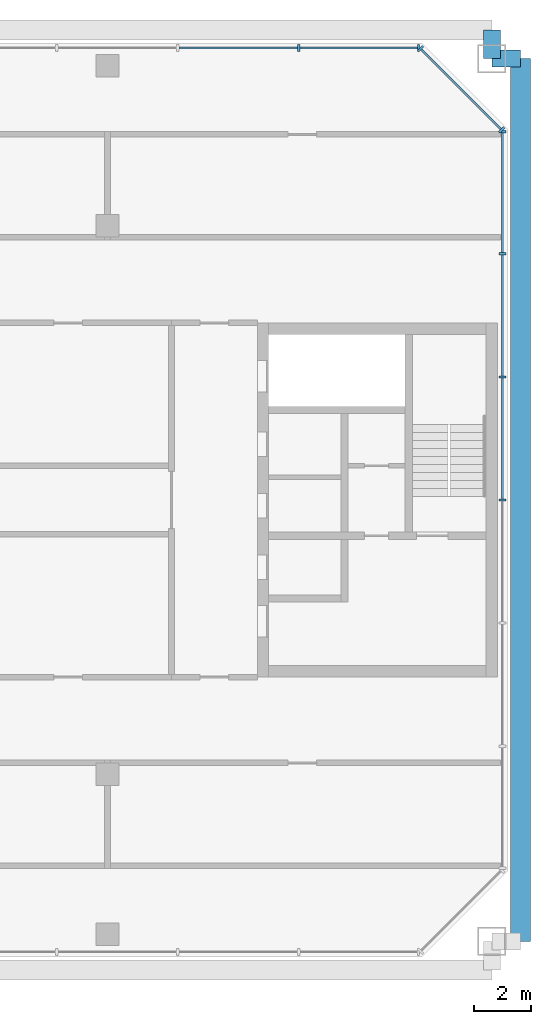
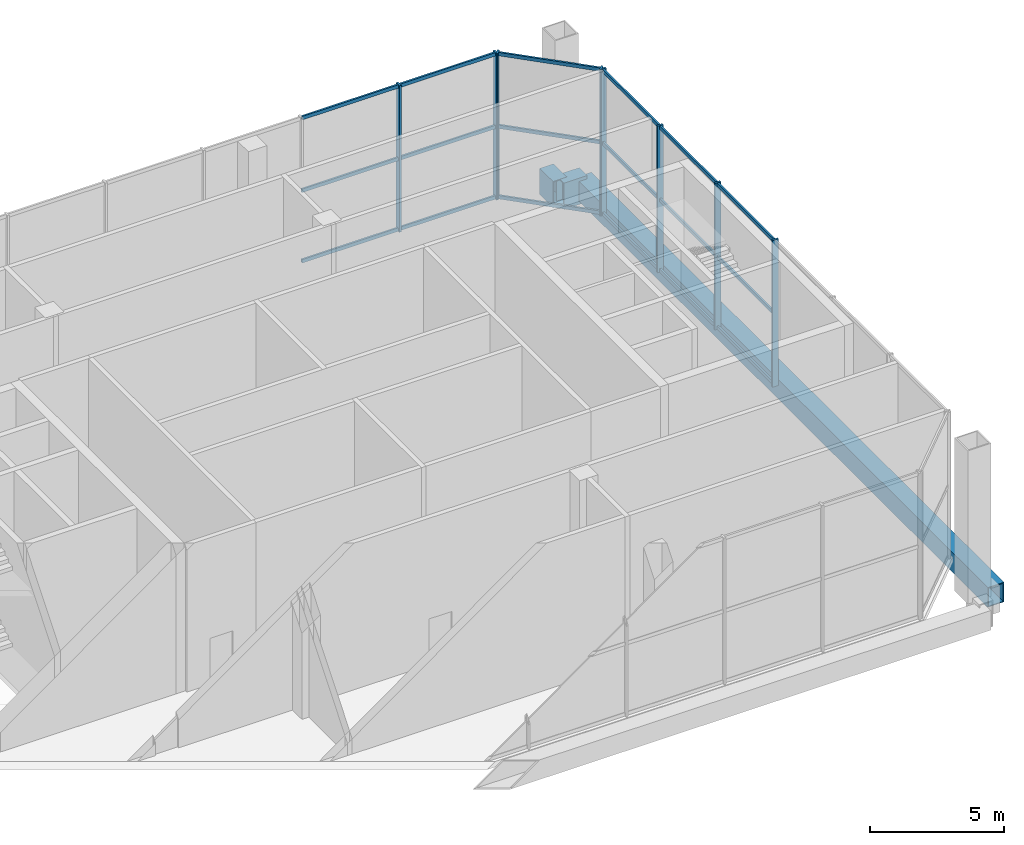
# One storey, part 13 of 27: 26 members, 3 beams, 3 elements without a shape of their own.
"""IFC4 building model written with IfcOpenShell, lengths in metres."""

from ifc_helpers import new_model, si_unit, direction, frame, origin, origin_2d, place, context, subcontext, project, spatial, rectangle, hollow_rectangle, extrude, material, material_profile, profile_set, type_object, element, aggregate, save


model = new_model("IFC4")

# Units and contexts
model_context = context("Model", 3, precision=1e-05, world=origin(), true_north=direction((0.0, 1.0)))
body_context = subcontext(model_context, "Body", "Model", "MODEL_VIEW")
ifc_project = project(units=[si_unit("LENGTHUNIT", "METRE"), si_unit("AREAUNIT", "SQUARE_METRE"), si_unit("VOLUMEUNIT", "CUBIC_METRE"), si_unit("PLANEANGLEUNIT", "RADIAN"), si_unit("MASSUNIT", "GRAM", prefix="KILO")], contexts=[model_context])

# Site, building, storey
site_placement = place(None, origin())
site = spatial("IfcSite", under=ifc_project, at=site_placement, CompositionType="ELEMENT")
building_placement = place(site_placement, origin())
building = spatial("IfcBuilding", under=site, at=building_placement, Name="Tuart Gate Housing", CompositionType="ELEMENT")
storey_placement = place(building_placement, frame((0.0, 0.0, 236.89990234375)))
storey = spatial("IfcBuildingStorey", under=building, at=storey_placement, Name="L67", CompositionType="ELEMENT", Elevation=236.89990234375)

# Beams
ifc_material_1 = material(Name="Steel Grade 350", Category="steel")
ifc_material_profile_1 = material_profile(ifc_material_1, hollow_rectangle(XDim=0.60009765625, YDim=1.199951171875, WallThickness=0.0400390625, at=origin_2d()), Name="BOX 1200x600x40")
ifc_profile_set_1 = profile_set([ifc_material_profile_1], Name="Steel Grade 350")
beam_type_1 = type_object("IfcBeamType", Name="Brace shoe BOX 1200x600x40", PredefinedType="BEAM", material=ifc_profile_set_1)
for number, where, z_axis, x_axis, name in (
    (1, (168.449951171875, 85.449951171875, -0.39990234375), (0.0, 1.0, 0.0), (-1.0, 0.0, 0.0), "Mega tie beam B node 8 north shoe 1 L67"),
    (2, (168.449951171875, 85.449951171875, -0.39990234375), (1.0, 0.0, 0.0), (0.0, 1.0, 0.0), "Mega tie beam B node 8 east shoe 1 L67"),
):
    element("IfcBeam", number, at=place(storey_placement, frame(where, z_axis=z_axis, x_axis=x_axis)), inside=storey, type_object=beam_type_1, Name=name, PredefinedType="BEAM", context=body_context, shape_type="SweptSolid", body=[
        extrude(hollow_rectangle(XDim=0.60009765625, YDim=1.199951171875, WallThickness=0.0400390625, at=origin_2d()), origin(), (0.0, 0.0, 1.0), 1.0),
    ])

# Curtain wall, members
ifc_material_2 = material(Name="Aluminium and clear glass", Category="aluminium")
curtain_wall_type = type_object("IfcCurtainWallType", Name="Damper floor glazing", PredefinedType="USERDEFINED", material=ifc_material_2)
curtain_wall_1_placement = place(storey_placement, origin())
curtain_wall_1 = element("IfcCurtainWall", 3, at=curtain_wall_1_placement, inside=storey, type_object=curtain_wall_type, Name="Damper floor glazing BLK-E L67", ObjectType="DAMPER FLOOR GLAZING", PredefinedType="USERDEFINED")
ifc_material_3 = material(Name="Anodised aluminium", Category="aluminium")
ifc_material_profile_2 = material_profile(ifc_material_3, rectangle(XDim=0.080078125, YDim=0.25, at=origin_2d()), Name="80x250")
ifc_profile_set_2 = profile_set([ifc_material_profile_2], Name="Anodised aluminium")
member_type_1 = type_object("IfcMemberType", Name="Mullion 80 x 250", PredefinedType="MULLION", material=ifc_profile_set_2)
member_1_placement = place(storey_placement, frame((168.820068359375, 70.0, 0.0), z_axis=(0.0, 0.0, 1.0), x_axis=(0.0, 1.0, 0.0)))
member_1 = element("IfcMember", 4, at=member_1_placement, type_object=member_type_1, Name="CW5 mullion 4", PredefinedType="MULLION", context=body_context, shape_type="SweptSolid", body=[
    extrude(rectangle(XDim=0.080078125, YDim=0.25, at=origin_2d()), origin(), (0.0, 0.0, 1.0), 6.7001953125),
])
member_2_placement = place(storey_placement, frame((168.820068359375, 74.30859375, 0.0), z_axis=(0.0, 0.0, 1.0), x_axis=(0.0, 1.0, 0.0)))
member_2 = element("IfcMember", 5, at=member_2_placement, type_object=member_type_1, Name="CW5 mullion 5", PredefinedType="MULLION", context=body_context, shape_type="SweptSolid", body=[
    extrude(rectangle(XDim=0.080078125, YDim=0.25, at=origin_2d()), origin(), (0.0, 0.0, 1.0), 6.7001953125),
])
member_3_placement = place(storey_placement, frame((168.820068359375, 78.616943359375, 0.0), z_axis=(0.0, 0.0, 1.0), x_axis=(0.0, 1.0, 0.0)))
member_3 = element("IfcMember", 6, at=member_3_placement, type_object=member_type_1, Name="CW5 mullion 6", PredefinedType="MULLION", context=body_context, shape_type="SweptSolid", body=[
    extrude(rectangle(XDim=0.080078125, YDim=0.25, at=origin_2d()), origin(), (0.0, 0.0, 1.0), 6.7001953125),
])
member_4_placement = place(storey_placement, frame((168.820068359375, 82.885498046875, 0.0), z_axis=(0.0, 0.0, 1.0), x_axis=(0.0, 1.0, 0.0)))
member_4 = element("IfcMember", 7, at=member_4_placement, type_object=member_type_1, Name="CW5 mullion 7", PredefinedType="MULLION", context=body_context, shape_type="SweptSolid", body=[
    extrude(rectangle(XDim=0.080078125, YDim=0.25, at=origin_2d()), origin(), (0.0, 0.0, 1.0), 6.7001953125),
])

curtain_wall_2_placement = place(storey_placement, origin())
curtain_wall_2 = element("IfcCurtainWall", 8, at=curtain_wall_2_placement, inside=storey, type_object=curtain_wall_type, Name="Damper floor glazing BLK-NE L67", ObjectType="DAMPER FLOOR GLAZING", PredefinedType="USERDEFINED")
member_5_placement = place(storey_placement, frame((168.791748046875, 82.95361328125, 0.0), z_axis=(0.0, 0.0, 1.0), x_axis=(-0.707106781187, 0.707106781187, 0.0)))
member_5 = element("IfcMember", 9, at=member_5_placement, type_object=member_type_1, Name="CW5 mullion 1", PredefinedType="MULLION", context=body_context, shape_type="SweptSolid", body=[
    extrude(rectangle(XDim=0.080078125, YDim=0.25, at=origin_2d()), origin(), (0.0, 0.0, 1.0), 6.7001953125),
])
member_6_placement = place(storey_placement, frame((165.95361328125, 85.791748046875, 0.0), z_axis=(0.0, 0.0, 1.0), x_axis=(-0.707106781187, 0.707106781187, 0.0)))
member_6 = element("IfcMember", 10, at=member_6_placement, type_object=member_type_1, Name="CW5 mullion 2", PredefinedType="MULLION", context=body_context, shape_type="SweptSolid", body=[
    extrude(rectangle(XDim=0.080078125, YDim=0.25, at=origin_2d()), origin(), (0.0, 0.0, 1.0), 6.7001953125),
])

curtain_wall_3_placement = place(storey_placement, origin())
curtain_wall_3 = element("IfcCurtainWall", 11, at=curtain_wall_3_placement, inside=storey, type_object=curtain_wall_type, Name="Damper floor glazing BLK-N L67", ObjectType="DAMPER FLOOR GLAZING", PredefinedType="USERDEFINED")
member_7_placement = place(storey_placement, frame((165.885498046875, 85.820068359375, 0.0), z_axis=(0.0, 0.0, 1.0), x_axis=(-1.0, 0.0, 0.0)))
member_7 = element("IfcMember", 12, at=member_7_placement, type_object=member_type_1, Name="CW5 mullion 1", PredefinedType="MULLION", context=body_context, shape_type="SweptSolid", body=[
    extrude(rectangle(XDim=0.080078125, YDim=0.25, at=origin_2d()), origin(), (0.0, 0.0, 1.0), 6.7001953125),
])
member_8_placement = place(storey_placement, frame((161.69091796875, 85.820068359375, 0.0), z_axis=(0.0, 0.0, 1.0), x_axis=(-1.0, 0.0, 0.0)))
member_8 = element("IfcMember", 13, at=member_8_placement, type_object=member_type_1, Name="CW5 mullion 2", PredefinedType="MULLION", context=body_context, shape_type="SweptSolid", body=[
    extrude(rectangle(XDim=0.080078125, YDim=0.25, at=origin_2d()), origin(), (0.0, 0.0, 1.0), 6.7001953125),
])

# Beam
ifc_material_4 = material(Name="Steel Grade 350", Category="steel")
ifc_material_profile_3 = material_profile(ifc_material_4, hollow_rectangle(XDim=0.699951171875, YDim=0.89990234375, WallThickness=0.0400390625, at=origin_2d()), Name="BOX 900x700x40")
ifc_profile_set_3 = profile_set([ifc_material_profile_3], Name="Steel Grade 350")
beam_type_2 = type_object("IfcBeamType", Name="Tie beam BOX 900x700x40", PredefinedType="BEAM", material=ifc_profile_set_3)
beam_placement = place(storey_placement, frame((169.449951171875, 54.550048828125, -0.39990234375), z_axis=(0.0, 1.0, 0.0), x_axis=(-1.0, 0.0, 0.0)))
element("IfcBeam", 14, at=beam_placement, inside=storey, type_object=beam_type_2, Name="Mega tie beam B node 8 east L67", PredefinedType="BEAM", context=body_context, shape_type="SweptSolid", body=[
    extrude(hollow_rectangle(XDim=0.699951171875, YDim=0.89990234375, WallThickness=0.0400390625, at=origin_2d()), origin(), (0.0, 0.0, 1.0), 30.89990234375),
])

# Member
ifc_material_5 = material(Name="Anodised aluminium", Category="aluminium")
ifc_material_profile_4 = material_profile(ifc_material_5, rectangle(XDim=0.080078125, YDim=0.159912109375, at=origin_2d()), Name="80x160")
ifc_profile_set_4 = profile_set([ifc_material_profile_4], Name="Anodised aluminium")
member_type_2 = type_object("IfcMemberType", Name="Transom 80 x 160", PredefinedType="USERDEFINED", material=ifc_profile_set_4)
member_9_placement = place(storey_placement, frame((168.820068359375, 70.0400390625, 0.080078125), z_axis=(0.0, 1.0, 0.0), x_axis=(-1.0, 0.0, 0.0)))
member_9 = element("IfcMember", 15, at=member_9_placement, type_object=member_type_2, Name="CW5 transom 4.1", ObjectType="TRANSOM", PredefinedType="USERDEFINED", context=body_context, shape_type="SweptSolid", body=[
    extrude(rectangle(XDim=0.080078125, YDim=0.159912109375, at=origin_2d()), origin(), (0.0, 0.0, 1.0), 4.228515625),
])

member_10_placement = place(storey_placement, frame((168.820068359375, 70.0400390625, 3.300048828125), z_axis=(0.0, 1.0, 0.0), x_axis=(-1.0, 0.0, 0.0)))
member_10 = element("IfcMember", 16, at=member_10_placement, type_object=member_type_2, Name="CW5 transom 4.2", ObjectType="TRANSOM", PredefinedType="USERDEFINED", context=body_context, shape_type="SweptSolid", body=[
    extrude(rectangle(XDim=0.080078125, YDim=0.159912109375, at=origin_2d()), origin(), (0.0, 0.0, 1.0), 4.228515625),
])

member_11_placement = place(storey_placement, frame((168.820068359375, 70.0400390625, 6.6201171875), z_axis=(0.0, 1.0, 0.0), x_axis=(-1.0, 0.0, 0.0)))
member_11 = element("IfcMember", 17, at=member_11_placement, type_object=member_type_2, Name="CW5 transom 4.3", ObjectType="TRANSOM", PredefinedType="USERDEFINED", context=body_context, shape_type="SweptSolid", body=[
    extrude(rectangle(XDim=0.080078125, YDim=0.159912109375, at=origin_2d()), origin(), (0.0, 0.0, 1.0), 4.228515625),
])

member_12_placement = place(storey_placement, frame((168.820068359375, 74.3486328125, 0.080078125), z_axis=(0.0, 1.0, 0.0), x_axis=(-1.0, 0.0, 0.0)))
member_12 = element("IfcMember", 18, at=member_12_placement, type_object=member_type_2, Name="CW5 transom 5.1", ObjectType="TRANSOM", PredefinedType="USERDEFINED", context=body_context, shape_type="SweptSolid", body=[
    extrude(rectangle(XDim=0.080078125, YDim=0.159912109375, at=origin_2d()), origin(), (0.0, 0.0, 1.0), 4.228271484375),
])

member_13_placement = place(storey_placement, frame((168.820068359375, 74.3486328125, 3.300048828125), z_axis=(0.0, 1.0, 0.0), x_axis=(-1.0, 0.0, 0.0)))
member_13 = element("IfcMember", 19, at=member_13_placement, type_object=member_type_2, Name="CW5 transom 5.2", ObjectType="TRANSOM", PredefinedType="USERDEFINED", context=body_context, shape_type="SweptSolid", body=[
    extrude(rectangle(XDim=0.080078125, YDim=0.159912109375, at=origin_2d()), origin(), (0.0, 0.0, 1.0), 4.228271484375),
])

member_14_placement = place(storey_placement, frame((168.820068359375, 74.3486328125, 6.6201171875), z_axis=(0.0, 1.0, 0.0), x_axis=(-1.0, 0.0, 0.0)))
member_14 = element("IfcMember", 20, at=member_14_placement, type_object=member_type_2, Name="CW5 transom 5.3", ObjectType="TRANSOM", PredefinedType="USERDEFINED", context=body_context, shape_type="SweptSolid", body=[
    extrude(rectangle(XDim=0.080078125, YDim=0.159912109375, at=origin_2d()), origin(), (0.0, 0.0, 1.0), 4.228271484375),
])

member_15_placement = place(storey_placement, frame((168.820068359375, 78.656982421875, 0.080078125), z_axis=(0.0, 1.0, 0.0), x_axis=(-1.0, 0.0, 0.0)))
member_15 = element("IfcMember", 21, at=member_15_placement, type_object=member_type_2, Name="CW5 transom 6.1", ObjectType="TRANSOM", PredefinedType="USERDEFINED", context=body_context, shape_type="SweptSolid", body=[
    extrude(rectangle(XDim=0.080078125, YDim=0.159912109375, at=origin_2d()), origin(), (0.0, 0.0, 1.0), 4.1884765625),
])

member_16_placement = place(storey_placement, frame((168.820068359375, 78.656982421875, 3.300048828125), z_axis=(0.0, 1.0, 0.0), x_axis=(-1.0, 0.0, 0.0)))
member_16 = element("IfcMember", 22, at=member_16_placement, type_object=member_type_2, Name="CW5 transom 6.2", ObjectType="TRANSOM", PredefinedType="USERDEFINED", context=body_context, shape_type="SweptSolid", body=[
    extrude(rectangle(XDim=0.080078125, YDim=0.159912109375, at=origin_2d()), origin(), (0.0, 0.0, 1.0), 4.1884765625),
])

member_17_placement = place(storey_placement, frame((168.820068359375, 78.656982421875, 6.6201171875), z_axis=(0.0, 1.0, 0.0), x_axis=(-1.0, 0.0, 0.0)))
member_17 = element("IfcMember", 23, at=member_17_placement, type_object=member_type_2, Name="CW5 transom 6.3", ObjectType="TRANSOM", PredefinedType="USERDEFINED", context=body_context, shape_type="SweptSolid", body=[
    extrude(rectangle(XDim=0.080078125, YDim=0.159912109375, at=origin_2d()), origin(), (0.0, 0.0, 1.0), 4.1884765625),
])

aggregate(curtain_wall_1, [member_1, member_2, member_3, member_4, member_9, member_10, member_11, member_12, member_13, member_14, member_15, member_16, member_17])

member_18_placement = place(storey_placement, frame((168.763427734375, 82.98193359375, 0.080078125), z_axis=(-0.707106781187, 0.707106781187, 0.0), x_axis=(-0.707106781187, -0.707106781187, 0.0)))
member_18 = element("IfcMember", 24, at=member_18_placement, type_object=member_type_2, Name="CW5 transom 1.1", ObjectType="TRANSOM", PredefinedType="USERDEFINED", context=body_context, shape_type="SweptSolid", body=[
    extrude(rectangle(XDim=0.080078125, YDim=0.159912109375, at=origin_2d()), origin(), (0.0, 0.0, 1.0), 3.93359375),
])

member_19_placement = place(storey_placement, frame((168.763427734375, 82.98193359375, 3.300048828125), z_axis=(-0.707106781187, 0.707106781187, 0.0), x_axis=(-0.707106781187, -0.707106781187, 0.0)))
member_19 = element("IfcMember", 25, at=member_19_placement, type_object=member_type_2, Name="CW5 transom 1.2", ObjectType="TRANSOM", PredefinedType="USERDEFINED", context=body_context, shape_type="SweptSolid", body=[
    extrude(rectangle(XDim=0.080078125, YDim=0.159912109375, at=origin_2d()), origin(), (0.0, 0.0, 1.0), 3.93359375),
])

member_20_placement = place(storey_placement, frame((168.763427734375, 82.98193359375, 6.6201171875), z_axis=(-0.707106781187, 0.707106781187, 0.0), x_axis=(-0.707106781187, -0.707106781187, 0.0)))
member_20 = element("IfcMember", 26, at=member_20_placement, type_object=member_type_2, Name="CW5 transom 1.3", ObjectType="TRANSOM", PredefinedType="USERDEFINED", context=body_context, shape_type="SweptSolid", body=[
    extrude(rectangle(XDim=0.080078125, YDim=0.159912109375, at=origin_2d()), origin(), (0.0, 0.0, 1.0), 3.93359375),
])

aggregate(curtain_wall_2, [member_5, member_6, member_18, member_19, member_20])

member_21_placement = place(storey_placement, frame((165.845458984375, 85.820068359375, 0.080078125), z_axis=(-1.0, 0.0, 0.0), x_axis=(0.0, -1.0, 0.0)))
member_21 = element("IfcMember", 27, at=member_21_placement, type_object=member_type_2, Name="CW5 transom 1.1", ObjectType="TRANSOM", PredefinedType="USERDEFINED", context=body_context, shape_type="SweptSolid", body=[
    extrude(rectangle(XDim=0.080078125, YDim=0.159912109375, at=origin_2d()), origin(), (0.0, 0.0, 1.0), 4.114501953125),
])

member_22_placement = place(storey_placement, frame((165.845458984375, 85.820068359375, 3.300048828125), z_axis=(-1.0, 0.0, 0.0), x_axis=(0.0, -1.0, 0.0)))
member_22 = element("IfcMember", 28, at=member_22_placement, type_object=member_type_2, Name="CW5 transom 1.2", ObjectType="TRANSOM", PredefinedType="USERDEFINED", context=body_context, shape_type="SweptSolid", body=[
    extrude(rectangle(XDim=0.080078125, YDim=0.159912109375, at=origin_2d()), origin(), (0.0, 0.0, 1.0), 4.114501953125),
])

member_23_placement = place(storey_placement, frame((165.845458984375, 85.820068359375, 6.6201171875), z_axis=(-1.0, 0.0, 0.0), x_axis=(0.0, -1.0, 0.0)))
member_23 = element("IfcMember", 29, at=member_23_placement, type_object=member_type_2, Name="CW5 transom 1.3", ObjectType="TRANSOM", PredefinedType="USERDEFINED", context=body_context, shape_type="SweptSolid", body=[
    extrude(rectangle(XDim=0.080078125, YDim=0.159912109375, at=origin_2d()), origin(), (0.0, 0.0, 1.0), 4.114501953125),
])

member_24_placement = place(storey_placement, frame((161.65087890625, 85.820068359375, 0.080078125), z_axis=(-1.0, 0.0, 0.0), x_axis=(0.0, -1.0, 0.0)))
member_24 = element("IfcMember", 30, at=member_24_placement, type_object=member_type_2, Name="CW5 transom 2.1", ObjectType="TRANSOM", PredefinedType="USERDEFINED", context=body_context, shape_type="SweptSolid", body=[
    extrude(rectangle(XDim=0.080078125, YDim=0.159912109375, at=origin_2d()), origin(), (0.0, 0.0, 1.0), 4.154296875),
])

member_25_placement = place(storey_placement, frame((161.65087890625, 85.820068359375, 3.300048828125), z_axis=(-1.0, 0.0, 0.0), x_axis=(0.0, -1.0, 0.0)))
member_25 = element("IfcMember", 31, at=member_25_placement, type_object=member_type_2, Name="CW5 transom 2.2", ObjectType="TRANSOM", PredefinedType="USERDEFINED", context=body_context, shape_type="SweptSolid", body=[
    extrude(rectangle(XDim=0.080078125, YDim=0.159912109375, at=origin_2d()), origin(), (0.0, 0.0, 1.0), 4.154296875),
])

member_26_placement = place(storey_placement, frame((161.65087890625, 85.820068359375, 6.6201171875), z_axis=(-1.0, 0.0, 0.0), x_axis=(0.0, -1.0, 0.0)))
member_26 = element("IfcMember", 32, at=member_26_placement, type_object=member_type_2, Name="CW5 transom 2.3", ObjectType="TRANSOM", PredefinedType="USERDEFINED", context=body_context, shape_type="SweptSolid", body=[
    extrude(rectangle(XDim=0.080078125, YDim=0.159912109375, at=origin_2d()), origin(), (0.0, 0.0, 1.0), 4.154296875),
])

aggregate(curtain_wall_3, [member_7, member_8, member_21, member_22, member_23, member_24, member_25, member_26])

save(model, "model.ifc")
